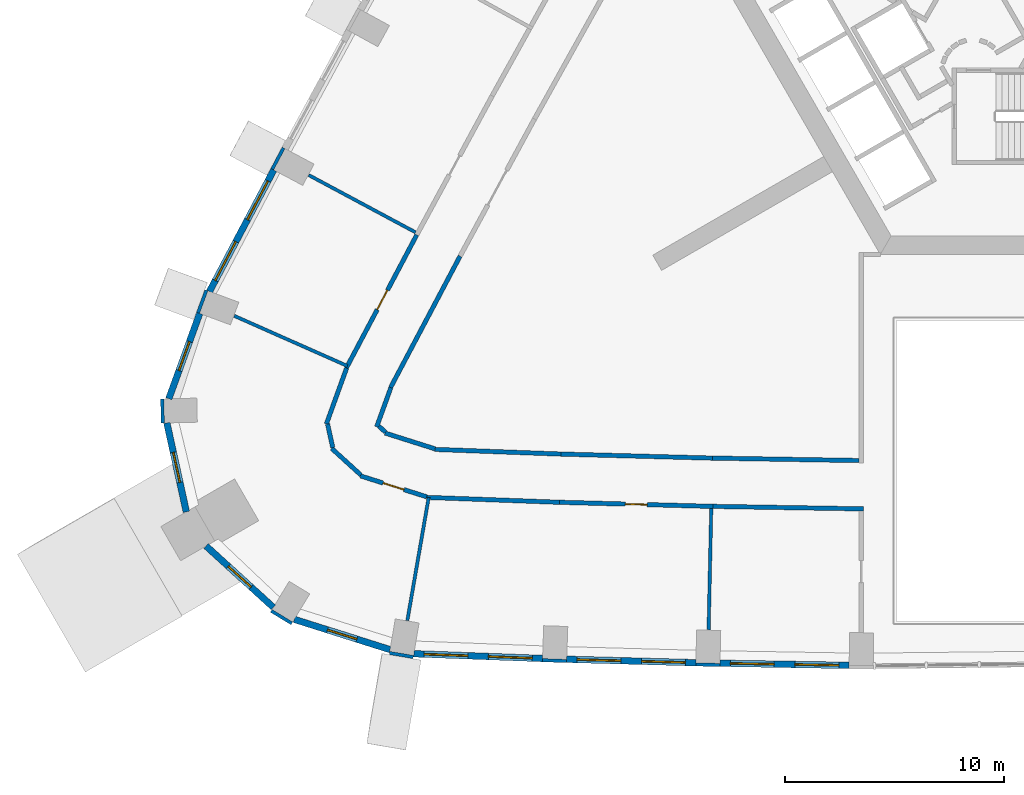
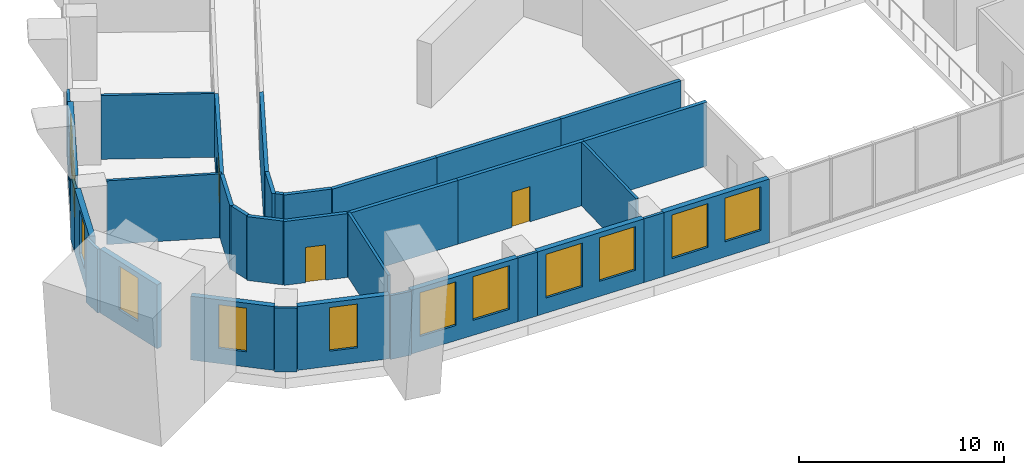
# One storey, part 4 of 15: 34 walls, 12 windows, 3 doors, 15 openings.
"""IFC4 building model written with IfcOpenShell, lengths in metres."""

import ifcopenshell
import ifcopenshell.guid

model = None  # the IFC model being written
_history = None  # IfcOwnerHistory: only IFC2X3 demands one
_inside = {}  # id of a spatial element -> (the spatial element, [elements in it])
_under = {}  # id of a project, library or spatial element -> (it, [spatial elements below it])
_declared = {}  # id of a project -> (the project, [libraries it declares])
_typed = {}  # id of a type object -> (the type object, [elements of that type])
_made_of = {}  # id of a material, layer set ... -> (it, [elements and type objects made of it])


def new_model(schema):
    """Start an empty IFC model of exactly this schema.

    Asked for "IFC4X3", IfcOpenShell would pick the latest addendum, in which some entities
    have other attributes; the version numbers below select the first issue.
    IFC2X3 requires an IfcOwnerHistory on every rooted entity: one is made here for all.
    """
    global model, _history
    if schema == "IFC4X3":
        model = ifcopenshell.file(schema_version=(4, 3, 0, 0))
    else:
        model = ifcopenshell.file(schema=schema)
    _inside.clear()
    _under.clear()
    _declared.clear()
    _typed.clear()
    _made_of.clear()
    _history = None
    if model.schema == "IFC2X3":
        org = make("IfcOrganization", Name="unknown")
        user = make(
            "IfcPersonAndOrganization",
            ThePerson=make("IfcPerson", FamilyName="unknown"),
            TheOrganization=org,
        )
        app = make(
            "IfcApplication",
            ApplicationDeveloper=org,
            Version="unknown",
            ApplicationFullName="unknown",
            ApplicationIdentifier="unknown",
        )
        _history = make(
            "IfcOwnerHistory",
            OwningUser=user,
            OwningApplication=app,
            ChangeAction="ADDED",
            CreationDate=0,
        )
    return model


def make(cls, **values):
    """One entity of the class cls with the attributes given. An attribute that is None is left unset."""
    return model.create_entity(
        cls, **{name: value for name, value in values.items() if value is not None}
    )


def rooted(cls, **values):
    """An entity with a GlobalId (a new one), such as an element, a storey or a relation."""
    return make(cls, GlobalId=ifcopenshell.guid.new(), OwnerHistory=_history, **values)


def si_unit(unit_type, name, prefix=None):
    """IfcSIUnit, for example si_unit("LENGTHUNIT", "METRE", prefix="MILLI")."""
    return make("IfcSIUnit", UnitType=unit_type, Prefix=prefix, Name=name)


def assignment(units):
    """IfcUnitAssignment: the units of a project."""
    return None if units is None else make("IfcUnitAssignment", Units=units)


def point(xyz):
    """IfcCartesianPoint."""
    return None if xyz is None else make("IfcCartesianPoint", Coordinates=xyz)


def direction(xyz):
    """IfcDirection."""
    return None if xyz is None else make("IfcDirection", DirectionRatios=xyz)


def frame(location, z_axis=None, x_axis=None):
    """IfcAxis2Placement3D, a coordinate frame: its origin and axes. An axis left out is left unset."""
    return make(
        "IfcAxis2Placement3D",
        Location=point(location),
        Axis=direction(z_axis),
        RefDirection=direction(x_axis),
    )


def frame_2d(location, x_axis=None):
    """IfcAxis2Placement2D, a coordinate frame in the plane: its origin and x axis."""
    return make(
        "IfcAxis2Placement2D", Location=point(location), RefDirection=direction(x_axis)
    )


def origin():
    """The frame at (0, 0, 0) with its axes left unset."""
    return frame((0.0, 0.0, 0.0))


def place(relative_to, where):
    """IfcLocalPlacement: puts the frame where relative to a parent placement (None: the world)."""
    return make(
        "IfcLocalPlacement", PlacementRelTo=relative_to, RelativePlacement=where
    )


def context(
    kind, dimensions, precision=None, world=None, true_north=None, identifier=None
):
    """IfcGeometricRepresentationContext, for example the 3D "Model" context."""
    return make(
        "IfcGeometricRepresentationContext",
        ContextIdentifier=identifier,
        ContextType=kind,
        CoordinateSpaceDimension=dimensions,
        Precision=precision,
        WorldCoordinateSystem=world,
        TrueNorth=true_north,
    )


def subcontext(parent, identifier, kind, view, scale=None):
    """IfcGeometricRepresentationSubContext, for example "Body" below "Model"."""
    return make(
        "IfcGeometricRepresentationSubContext",
        ContextIdentifier=identifier,
        ContextType=kind,
        ParentContext=parent,
        TargetScale=scale,
        TargetView=view,
    )


def project(units=None, contexts=None):
    """IfcProject with its units and contexts."""
    return rooted(
        "IfcProject",
        Name="project",
        RepresentationContexts=contexts,
        UnitsInContext=assignment(units),
    )


def spatial(cls, under=None, at=None, **own):
    """A site, building, storey or space (cls), placed at a placement, below another one or the project."""
    s = rooted(cls, ObjectPlacement=at, **own)
    if under is not None:
        _under.setdefault(under.id(), (under, []))[1].append(s)
    return s


def profile(cls, at=None, kind="AREA", **sizes):
    """A parametric profile (cls). Its sizes go by their IFC names, for example OverallWidth=200.0."""
    return make(cls, ProfileType=kind, Position=at, **sizes)


def rectangle(**sizes):
    """IfcRectangleProfileDef."""
    return profile("IfcRectangleProfileDef", **sizes)


def extrude(swept, where, along, depth):
    """IfcExtrudedAreaSolid: the profile swept, set in the frame where, extruded along a direction by depth."""
    return make(
        "IfcExtrudedAreaSolid",
        SweptArea=swept,
        Position=where,
        ExtrudedDirection=direction(along),
        Depth=depth,
    )


def shape(context_of_items, identifier, shape_type, items):
    """IfcShapeRepresentation: the items that make up one representation, for example the "Body"."""
    return make(
        "IfcShapeRepresentation",
        ContextOfItems=context_of_items,
        RepresentationIdentifier=identifier,
        RepresentationType=shape_type,
        Items=items,
    )


def material(Name=None, Category=None):
    """IfcMaterial."""
    return make("IfcMaterial", Name=Name, Category=Category)


def layer(
    of_material, thickness, ventilated=None, Name=None, Category=None, Priority=None
):
    """IfcMaterialLayer: one layer of a wall or slab, of a material (None: an air gap)."""
    return make(
        "IfcMaterialLayer",
        Material=of_material,
        LayerThickness=thickness,
        IsVentilated=ventilated,
        Name=Name,
        Category=Category,
        Priority=Priority,
    )


def layer_set(layers, Name=None):
    """IfcMaterialLayerSet."""
    return make("IfcMaterialLayerSet", MaterialLayers=layers, LayerSetName=Name)


def made_of(thing, what):
    """Note that an element or type object is made of a material, layer set ...; save() writes the relation."""
    if what is not None:
        _made_of.setdefault(what.id(), (what, []))[1].append(thing)
    return thing


def type_object(cls, material=None, **own):
    """A type object (cls), such as IfcWallType, which elements share."""
    return made_of(rooted(cls, **own), material)


def element(
    cls,
    number,
    at=None,
    inside=None,
    cuts=None,
    type_object=None,
    material=None,
    context=None,
    identifier="Body",
    shape_type=None,
    held_by="IfcProductDefinitionShape",
    body=None,
    shapes=None,
    **own,
):
    """One element of the class cls, such as IfcWall. Its Tag is "e" and its number.

    at: its placement. inside: the storey or other place that contains it. cuts: it is an
    opening in that element (IfcRelVoidsElement). A single representation is given by context,
    identifier, shape_type and body (its items); several are given by shapes. held_by: the class
    of the entity that holds the representations. save() writes the other relations.
    """
    e = rooted(cls, Tag="e%d" % number, ObjectPlacement=at, **own)
    if body is not None:
        shapes = [shape(context, identifier, shape_type, body)]
    if shapes is not None:
        e.Representation = make(held_by, Representations=shapes)
    if inside is not None:
        _inside.setdefault(inside.id(), (inside, []))[1].append(e)
    if cuts is not None:
        rooted(
            "IfcRelVoidsElement", RelatingBuildingElement=cuts, RelatedOpeningElement=e
        )
    if type_object is not None:
        _typed.setdefault(type_object.id(), (type_object, []))[1].append(e)
    return made_of(e, material)


def fill(opening, filler):
    """IfcRelFillsElement: the door or window that sits in an opening."""
    return rooted(
        "IfcRelFillsElement",
        RelatingOpeningElement=opening,
        RelatedBuildingElement=filler,
    )


def aggregate(whole, parts):
    """IfcRelAggregates: a whole, such as a stair, and the parts it consists of."""
    return rooted("IfcRelAggregates", RelatingObject=whole, RelatedObjects=parts)


def save(model, path):
    """Write the relations noted so far, then the file.

    IfcRelAggregates (storeys below a building ...), IfcRelContainedInSpatialStructure (elements
    in a storey), IfcRelDefinesByType, IfcRelAssociatesMaterial and IfcRelDeclares: one each for
    every whole, place, type object, material and project.
    """
    for whole, parts in _under.values():
        aggregate(whole, parts)
    for where, things in _inside.values():
        rooted(
            "IfcRelContainedInSpatialStructure",
            RelatedElements=things,
            RelatingStructure=where,
        )
    for kind, things in _typed.values():
        rooted("IfcRelDefinesByType", RelatedObjects=things, RelatingType=kind)
    for what, things in _made_of.values():
        rooted("IfcRelAssociatesMaterial", RelatedObjects=things, RelatingMaterial=what)
    for by, libraries in _declared.values():
        rooted("IfcRelDeclares", RelatingContext=by, RelatedDefinitions=libraries)
    model.write(path)


model = new_model("IFC4")

# Units and contexts
model_context = context("Model", 3, precision=1e-05, world=origin(), true_north=direction((0.0, 1.0)))
body_context = subcontext(model_context, "Body", "Model", "MODEL_VIEW")
ifc_project = project(units=[si_unit("LENGTHUNIT", "METRE"), si_unit("AREAUNIT", "SQUARE_METRE"), si_unit("VOLUMEUNIT", "CUBIC_METRE"), si_unit("PLANEANGLEUNIT", "RADIAN"), si_unit("MASSUNIT", "GRAM", prefix="KILO")], contexts=[model_context])

# Site, building, storey
site_placement = place(None, origin())
site = spatial("IfcSite", under=ifc_project, at=site_placement, CompositionType="ELEMENT")
building_placement = place(site_placement, origin())
building = spatial("IfcBuilding", under=site, at=building_placement, Name="Entoto Arch Interchange Tower", CompositionType="ELEMENT")
storey_placement = place(building_placement, frame((0.0, 0.0, 124.39990234375)))
storey = spatial("IfcBuildingStorey", under=building, at=storey_placement, Name="L27", CompositionType="ELEMENT", Elevation=124.39990234375)

# Walls
ifc_material_1 = material(Name="Gypsum board partition on steel studs", Category="steel")
ifc_layer_1 = layer(ifc_material_1, 0.14990234375)
ifc_layer_set_1 = layer_set([ifc_layer_1], Name="Gypsum board partition on steel studs")
wall_type_1 = type_object("IfcWallType", Name="PARTITION 150", PredefinedType="PARTITIONING", material=ifc_layer_set_1)
wall_1_placement = place(storey_placement, frame((-28.123046875, -8.488037109375, 0.0), z_axis=(0.0, 0.0, 1.0), x_axis=(-0.881406449288, 0.472358625573, 0.0)))
element("IfcWall", 1, at=wall_1_placement, inside=storey, type_object=wall_type_1, Name="wall:L27:p149", PredefinedType="PARTITIONING", context=body_context, shape_type="SweptSolid", body=[
    extrude(rectangle(XDim=5.52978515625, YDim=0.14990234375, at=frame_2d((2.764892578125, 0.0))), origin(), (0.0, 0.0, 1.0), 3.800048828125),
])
wall_2_placement = place(storey_placement, frame((-31.23291015625, -14.58203125, 0.0), z_axis=(0.0, 0.0, 1.0), x_axis=(-0.914317360249, 0.404998474994, 0.0)))
element("IfcWall", 2, at=wall_2_placement, inside=storey, type_object=wall_type_1, Name="wall:L27:p150", PredefinedType="PARTITIONING", context=body_context, shape_type="SweptSolid", body=[
    extrude(rectangle(XDim=5.644775390625, YDim=0.14990234375, at=frame_2d((2.822265625, 0.0))), origin(), (0.0, 0.0, 1.0), 3.800048828125),
])
wall_3_placement = place(storey_placement, frame((-27.52587890625, -20.577880859375, 0.0), z_axis=(0.0, 0.0, 1.0), x_axis=(-0.170795043313, -0.985306578269, 0.0)))
element("IfcWall", 3, at=wall_3_placement, inside=storey, type_object=wall_type_1, Name="wall:L27:p151", PredefinedType="PARTITIONING", context=body_context, shape_type="SweptSolid", body=[
    extrude(rectangle(XDim=5.69775390625, YDim=0.14990234375, at=frame_2d((2.848876953125, 0.0))), origin(), (0.0, 0.0, 1.0), 3.800048828125),
])
wall_4_placement = place(storey_placement, frame((-14.638916015625, -21.083984375, 0.0), z_axis=(0.0, 0.0, 1.0), x_axis=(-0.021723441989, -0.99976401819, 0.0)))
element("IfcWall", 4, at=wall_4_placement, inside=storey, type_object=wall_type_1, Name="wall:L27:p152", PredefinedType="PARTITIONING", context=body_context, shape_type="SweptSolid", body=[
    extrude(rectangle(XDim=5.529296875, YDim=0.14990234375, at=frame_2d((2.7646484375, 0.0))), origin(), (0.0, 0.0, 1.0), 3.800048828125),
])
ifc_layer_2 = layer(ifc_material_1, 0.199951171875)
ifc_layer_set_2 = layer_set([ifc_layer_2], Name="Gypsum board partition on steel studs")
wall_type_2 = type_object("IfcWallType", Name="PARTITION 200", PredefinedType="PARTITIONING", material=ifc_layer_set_2)
wall_5_placement = place(storey_placement, frame((-26.094970703125, -9.573974609375, 0.0), z_axis=(0.0, 0.0, 1.0), x_axis=(-0.467631129673, -0.883923710826, 0.0)))
element("IfcWall", 5, at=wall_5_placement, inside=storey, type_object=wall_type_2, Name="wall:L27:p036", PredefinedType="PARTITIONING", context=body_context, shape_type="SweptSolid", body=[
    extrude(rectangle(XDim=6.776611328125, YDim=0.199951171875, at=frame_2d((3.38818359375, 0.0))), origin(), (0.0, 0.0, 1.0), 3.800048828125),
])
wall_6_placement = place(storey_placement, frame((-29.2509765625, -15.569091796875, 0.0), z_axis=(0.0, 0.0, 1.0), x_axis=(-0.340403936609, -0.940279298901, 0.0)))
element("IfcWall", 6, at=wall_6_placement, inside=storey, type_object=wall_type_2, Name="wall:L27:p037", PredefinedType="PARTITIONING", context=body_context, shape_type="SweptSolid", body=[
    extrude(rectangle(XDim=1.903564453125, YDim=0.199951171875, at=frame_2d((0.95166015625, 0.0))), origin(), (0.0, 0.0, 1.0), 3.800048828125),
])
wall_7_placement = place(storey_placement, frame((-29.7919921875, -17.33203125, 0.0), z_axis=(0.0, 0.0, 1.0), x_axis=(0.738629069284, -0.674112081192, 0.0)))
element("IfcWall", 7, at=wall_7_placement, inside=storey, type_object=wall_type_2, Name="wall:L27:p038", PredefinedType="PARTITIONING", context=body_context, shape_type="SweptSolid", body=[
    extrude(rectangle(XDim=0.40478515625, YDim=0.199951171875, at=frame_2d((0.202392578125, 0.0))), origin(), (0.0, 0.0, 1.0), 3.800048828125),
])
wall_8_placement = place(storey_placement, frame((-29.513916015625, -17.64208984375, 0.0), z_axis=(0.0, 0.0, 1.0), x_axis=(0.953398231748, -0.301714785353, 0.0)))
element("IfcWall", 8, at=wall_8_placement, inside=storey, type_object=wall_type_2, Name="wall:L27:p039", PredefinedType="PARTITIONING", context=body_context, shape_type="SweptSolid", body=[
    extrude(rectangle(XDim=2.383056640625, YDim=0.199951171875, at=frame_2d((1.19140625, 0.0))), origin(), (0.0, 0.0, 1.0), 3.800048828125),
])
wall_9_placement = place(storey_placement, frame((-27.2470703125, -18.386962890625, 0.0), z_axis=(0.0, 0.0, 1.0), x_axis=(0.999316109669, -0.036977195089, 0.0)))
element("IfcWall", 9, at=wall_9_placement, inside=storey, type_object=wall_type_2, Name="wall:L27:p040", PredefinedType="PARTITIONING", context=body_context, shape_type="SweptSolid", body=[
    extrude(rectangle(XDim=5.763916015625, YDim=0.199951171875, at=frame_2d((2.8818359375, 0.0))), origin(), (0.0, 0.0, 1.0), 3.800048828125),
])
wall_10_placement = place(storey_placement, frame((-21.487060546875, -18.60009765625, 0.0), z_axis=(0.0, 0.0, 1.0), x_axis=(0.999645048679, -0.02664163381, 0.0)))
element("IfcWall", 10, at=wall_10_placement, inside=storey, type_object=wall_type_2, Name="wall:L27:p041", PredefinedType="PARTITIONING", context=body_context, shape_type="SweptSolid", body=[
    extrude(rectangle(XDim=6.900390625, YDim=0.199951171875, at=frame_2d((3.4501953125, 0.0))), origin(), (0.0, 0.0, 1.0), 3.800048828125),
])
wall_11_placement = place(storey_placement, frame((-14.589111328125, -18.783935546875, 0.0), z_axis=(0.0, 0.0, 1.0), x_axis=(0.999862141497, -0.016604156151, 0.0)))
element("IfcWall", 11, at=wall_11_placement, inside=storey, type_object=wall_type_2, Name="wall:L27:p042", PredefinedType="PARTITIONING", context=body_context, shape_type="SweptSolid", body=[
    extrude(rectangle(XDim=6.690185546875, YDim=0.199951171875, at=frame_2d((3.34521484375, 0.0))), origin(), (0.0, 0.0, 1.0), 3.800048828125),
])

# Wall, opening, door
wall_12_placement = place(storey_placement, frame((-31.280029296875, -14.669921875, 0.0), z_axis=(0.0, 0.0, 1.0), x_axis=(0.4676622466, 0.883907248022, 0.0)))
wall_12 = element("IfcWall", 12, at=wall_12_placement, inside=storey, type_object=wall_type_2, Name="wall:L27:p076", PredefinedType="PARTITIONING", context=body_context, shape_type="SweptSolid", body=[
    extrude(rectangle(XDim=6.865966796875, YDim=0.199951171875, at=frame_2d((3.43310546875, 0.0))), origin(), (0.0, 0.0, 1.0), 3.800048828125),
])
opening_1_placement = place(wall_12_placement, frame((3.008056640625, 0.0, 0.0)))
opening_1 = element("IfcOpeningElement", 13, at=opening_1_placement, cuts=wall_12, Name="Opening L27-D18", PredefinedType="OPENING", context=body_context, shape_type="SweptSolid", body=[
    extrude(rectangle(XDim=1.0, YDim=2.10009765625, at=frame_2d((0.5, 1.050048828125))), frame((0.0, 0.10986328125, 0.0), z_axis=(0.0, -1.0, 0.0), x_axis=(1.0, 0.0, 0.0)), (0.0, 0.0, 1.0), 0.219970703125),
])
ifc_material_2 = material(Name="Timber door leaf in Steel S235 frame", Category="steel")
door_type = type_object("IfcDoorType", Name="DOOR DS-10 1000x2100", OperationType="SINGLE_SWING_LEFT", PredefinedType="DOOR", material=ifc_material_2)
door_1_placement = place(opening_1_placement, origin())
door_1 = element("IfcDoor", 14, at=door_1_placement, inside=storey, type_object=door_type, Name="door:L27:18", OperationType="SINGLE_SWING_LEFT", OverallHeight=2.10009765625, OverallWidth=1.0, PredefinedType="DOOR", context=body_context, shape_type="SweptSolid", body=[
    extrude(rectangle(XDim=1.0, YDim=2.10009765625, at=frame_2d((0.5, 1.050048828125))), frame((0.0, 0.02490234375, 0.0), z_axis=(0.0, -1.0, 0.0), x_axis=(1.0, 0.0, 0.0)), (0.0, 0.0, 1.0), 0.050048828125),
])
fill(opening_1, door_1)

wall_13_placement = place(storey_placement, frame((-27.62109375, -20.548095703125, 0.0), z_axis=(0.0, 0.0, 1.0), x_axis=(-0.953482354465, 0.301448834338, 0.0)))
wall_13 = element("IfcWall", 15, at=wall_13_placement, inside=storey, type_object=wall_type_2, Name="wall:L27:p077", PredefinedType="PARTITIONING", context=body_context, shape_type="SweptSolid", body=[
    extrude(rectangle(XDim=3.1650390625, YDim=0.199951171875, at=frame_2d((1.58251953125, 0.0))), origin(), (0.0, 0.0, 1.0), 3.800048828125),
])
opening_2_placement = place(wall_13_placement, frame((1.08203125, 0.0, 0.0)))
opening_2 = element("IfcOpeningElement", 16, at=opening_2_placement, cuts=wall_13, Name="Opening L27-D19", PredefinedType="OPENING", context=body_context, shape_type="SweptSolid", body=[
    extrude(rectangle(XDim=1.0, YDim=2.10009765625, at=frame_2d((0.5, 1.050048828125))), frame((0.0, 0.10986328125, 0.0), z_axis=(0.0, -1.0, 0.0), x_axis=(1.0, 0.0, 0.0)), (0.0, 0.0, 1.0), 0.219970703125),
])
door_2_placement = place(opening_2_placement, origin())
door_2 = element("IfcDoor", 17, at=door_2_placement, inside=storey, type_object=door_type, Name="door:L27:19", OperationType="SINGLE_SWING_RIGHT", OverallHeight=2.10009765625, OverallWidth=1.0, PredefinedType="DOOR", context=body_context, shape_type="SweptSolid", body=[
    extrude(rectangle(XDim=1.0, YDim=2.10009765625, at=frame_2d((0.5, 1.050048828125))), frame((0.0, 0.02490234375, 0.0), z_axis=(0.0, -1.0, 0.0), x_axis=(1.0, 0.0, 0.0)), (0.0, 0.0, 1.0), 0.050048828125),
])
fill(opening_2, door_2)

# Walls
wall_14_placement = place(storey_placement, frame((-30.616943359375, -19.556884765625, 0.0), z_axis=(0.0, 0.0, 1.0), x_axis=(-0.739034946694, 0.673667089567, 0.0)))
element("IfcWall", 18, at=wall_14_placement, inside=storey, type_object=wall_type_2, Name="wall:L27:p078", PredefinedType="PARTITIONING", context=body_context, shape_type="SweptSolid", body=[
    extrude(rectangle(XDim=1.8076171875, YDim=0.199951171875, at=frame_2d((0.90380859375, 0.0))), origin(), (0.0, 0.0, 1.0), 3.800048828125),
])
wall_15_placement = place(storey_placement, frame((-31.90087890625, -18.30810546875, 0.0), z_axis=(0.0, 0.0, 1.0), x_axis=(-0.214278387947, 0.976772630891, 0.0)))
element("IfcWall", 19, at=wall_15_placement, inside=storey, type_object=wall_type_2, Name="wall:L27:p079", PredefinedType="PARTITIONING", context=body_context, shape_type="SweptSolid", body=[
    extrude(rectangle(XDim=1.101806640625, YDim=0.199951171875, at=frame_2d((0.55078125, 0.0))), origin(), (0.0, 0.0, 1.0), 3.800048828125),
])
wall_16_placement = place(storey_placement, frame((-32.19189453125, -17.22900390625, 0.0), z_axis=(0.0, 0.0, 1.0), x_axis=(0.340269739222, 0.940327870782, 0.0)))
element("IfcWall", 20, at=wall_16_placement, inside=storey, type_object=wall_type_2, Name="wall:L27:p080", PredefinedType="PARTITIONING", context=body_context, shape_type="SweptSolid", body=[
    extrude(rectangle(XDim=2.715087890625, YDim=0.199951171875, at=frame_2d((1.357421875, 0.0))), origin(), (0.0, 0.0, 1.0), 3.800048828125),
])

# Wall, opening, door
wall_17_placement = place(storey_placement, frame((-14.56201171875, -20.986083984375, 0.0), z_axis=(0.0, 0.0, 1.0), x_axis=(-0.999642796892, 0.026725991498, 0.0)))
wall_17 = element("IfcWall", 21, at=wall_17_placement, inside=storey, type_object=wall_type_2, Name="wall:L27:p081", PredefinedType="PARTITIONING", context=body_context, shape_type="SweptSolid", body=[
    extrude(rectangle(XDim=6.997314453125, YDim=0.199951171875, at=frame_2d((3.49853515625, 0.0))), origin(), (0.0, 0.0, 1.0), 3.800048828125),
])
opening_3_placement = place(wall_17_placement, frame((2.9990234375, 0.0, 0.0)))
opening_3 = element("IfcOpeningElement", 22, at=opening_3_placement, cuts=wall_17, Name="Opening L27-D20", PredefinedType="OPENING", context=body_context, shape_type="SweptSolid", body=[
    extrude(rectangle(XDim=1.0, YDim=2.10009765625, at=frame_2d((0.5, 1.050048828125))), frame((0.0, 0.10986328125, 0.0), z_axis=(0.0, -1.0, 0.0), x_axis=(1.0, 0.0, 0.0)), (0.0, 0.0, 1.0), 0.219970703125),
])
door_3_placement = place(opening_3_placement, origin())
door_3 = element("IfcDoor", 23, at=door_3_placement, inside=storey, type_object=door_type, Name="door:L27:20", OperationType="SINGLE_SWING_LEFT", OverallHeight=2.10009765625, OverallWidth=1.0, PredefinedType="DOOR", context=body_context, shape_type="SweptSolid", body=[
    extrude(rectangle(XDim=1.0, YDim=2.10009765625, at=frame_2d((0.5, 1.050048828125))), frame((0.0, 0.02490234375, 0.0), z_axis=(0.0, -1.0, 0.0), x_axis=(1.0, 0.0, 0.0)), (0.0, 0.0, 1.0), 0.050048828125),
])
fill(opening_3, door_3)

# Walls
wall_18_placement = place(storey_placement, frame((-21.556884765625, -20.799072265625, 0.0), z_axis=(0.0, 0.0, 1.0), x_axis=(-0.99931884782, 0.036903121698, 0.0)))
element("IfcWall", 24, at=wall_18_placement, inside=storey, type_object=wall_type_2, Name="wall:L27:p082", PredefinedType="PARTITIONING", context=body_context, shape_type="SweptSolid", body=[
    extrude(rectangle(XDim=6.0732421875, YDim=0.199951171875, at=frame_2d((3.03662109375, 0.0))), origin(), (0.0, 0.0, 1.0), 3.800048828125),
])
wall_19_placement = place(storey_placement, frame((-7.699951171875, -21.09912109375, 0.0), z_axis=(0.0, 0.0, 1.0), x_axis=(-0.999861998162, 0.016612785183, 0.0)))
element("IfcWall", 25, at=wall_19_placement, inside=storey, type_object=wall_type_2, Name="wall:L27:p083", PredefinedType="PARTITIONING", context=body_context, shape_type="SweptSolid", body=[
    extrude(rectangle(XDim=6.863037109375, YDim=0.199951171875, at=frame_2d((3.431640625, 0.0))), origin(), (0.0, 0.0, 1.0), 3.800048828125),
])

# Wall, openings, windows
ifc_material_3 = material(Name="Welded tuff (ignimbrite) cladding, warm buff", Category="masonry")
ifc_layer_3 = layer(ifc_material_3, 0.300048828125)
ifc_layer_set_3 = layer_set([ifc_layer_3], Name="Welded tuff (ignimbrite) cladding, warm buff")
wall_type_3 = type_object("IfcWallType", Name="STONE INFILL WALL 300", PredefinedType="STANDARD", material=ifc_layer_set_3)
wall_20_placement = place(storey_placement, frame((-28.205078125, -27.7080078125, 0.0), z_axis=(0.0, 0.0, 1.0), x_axis=(0.999317846462, -0.036930228031, 0.0)))
wall_20 = element("IfcWall", 26, at=wall_20_placement, inside=storey, type_object=wall_type_3, Name="Facade wall S-01 L27", PredefinedType="STANDARD", context=body_context, shape_type="SweptSolid", body=[
    extrude(rectangle(XDim=5.876953125, YDim=0.300048828125, at=frame_2d((2.9384765625, 0.0))), origin(), (0.0, 0.0, 1.0), 3.800048828125),
])
opening_4_placement = place(wall_20_placement, frame((0.468994140625, 0.0, 0.89990234375)))
opening_4 = element("IfcOpeningElement", 27, at=opening_4_placement, cuts=wall_20, Name="Opening WO-C", PredefinedType="OPENING", context=body_context, shape_type="SweptSolid", body=[
    extrude(rectangle(XDim=2.0, YDim=2.60009765625, at=frame_2d((1.0, 1.300048828125))), frame((0.0, 0.16015625, 0.0), z_axis=(0.0, -1.0, 0.0), x_axis=(1.0, 0.0, 0.0)), (0.0, 0.0, 1.0), 0.320068359375),
])
opening_5_placement = place(wall_20_placement, frame((3.407958984375, 0.0, 0.89990234375)))
opening_5 = element("IfcOpeningElement", 28, at=opening_5_placement, cuts=wall_20, Name="Opening WO-C", PredefinedType="OPENING", context=body_context, shape_type="SweptSolid", body=[
    extrude(rectangle(XDim=2.0, YDim=2.60009765625, at=frame_2d((1.0, 1.300048828125))), frame((0.0, 0.16015625, 0.0), z_axis=(0.0, -1.0, 0.0), x_axis=(1.0, 0.0, 0.0)), (0.0, 0.0, 1.0), 0.320068359375),
])
ifc_material_4 = material(Name="Clear glass, low-e double glazed", Category="glass")
window_type_1 = type_object("IfcWindowType", Name="WINDOW WO-C 2000x2600", PartitioningType="DOUBLE_PANEL_VERTICAL", PredefinedType="WINDOW", material=ifc_material_4)
window_1_placement = place(opening_4_placement, origin())
window_1 = element("IfcWindow", 29, at=window_1_placement, inside=storey, type_object=window_type_1, Name="Window WO-C S-01 L27", OverallHeight=2.60009765625, OverallWidth=2.0, PartitioningType="SINGLE_PANEL", PredefinedType="WINDOW", context=body_context, shape_type="SweptSolid", body=[
    extrude(rectangle(XDim=2.0, YDim=2.60009765625, at=frame_2d((1.0, 1.300048828125))), frame((0.0, 0.030029296875, 0.0), z_axis=(0.0, -1.0, 0.0), x_axis=(1.0, 0.0, 0.0)), (0.0, 0.0, 1.0), 0.06005859375),
])
fill(opening_4, window_1)
window_2_placement = place(opening_5_placement, origin())
window_2 = element("IfcWindow", 30, at=window_2_placement, inside=storey, type_object=window_type_1, Name="Window WO-C S-01 L27", OverallHeight=2.60009765625, OverallWidth=2.0, PartitioningType="SINGLE_PANEL", PredefinedType="WINDOW", context=body_context, shape_type="SweptSolid", body=[
    extrude(rectangle(XDim=2.0, YDim=2.60009765625, at=frame_2d((1.0, 1.300048828125))), frame((0.0, 0.030029296875, 0.0), z_axis=(0.0, -1.0, 0.0), x_axis=(1.0, 0.0, 0.0)), (0.0, 0.0, 1.0), 0.06005859375),
])
fill(opening_5, window_2)

wall_21_placement = place(storey_placement, frame((-21.235107421875, -27.9599609375, 0.0), z_axis=(0.0, 0.0, 1.0), x_axis=(0.999645618819, -0.026620232457, 0.0)))
wall_21 = element("IfcWall", 31, at=wall_21_placement, inside=storey, type_object=wall_type_3, Name="Facade wall S-02 L27", PredefinedType="STANDARD", context=body_context, shape_type="SweptSolid", body=[
    extrude(rectangle(XDim=5.897216796875, YDim=0.300048828125, at=frame_2d((2.94873046875, 0.0))), origin(), (0.0, 0.0, 1.0), 3.800048828125),
])
opening_6_placement = place(wall_21_placement, frame((0.47412109375, 0.0, 0.89990234375)))
opening_6 = element("IfcOpeningElement", 32, at=opening_6_placement, cuts=wall_21, Name="Opening WO-C", PredefinedType="OPENING", context=body_context, shape_type="SweptSolid", body=[
    extrude(rectangle(XDim=2.0, YDim=2.60009765625, at=frame_2d((1.0, 1.300048828125))), frame((0.0, 0.16015625, 0.0), z_axis=(0.0, -1.0, 0.0), x_axis=(1.0, 0.0, 0.0)), (0.0, 0.0, 1.0), 0.320068359375),
])
opening_7_placement = place(wall_21_placement, frame((3.423095703125, 0.0, 0.89990234375)))
opening_7 = element("IfcOpeningElement", 33, at=opening_7_placement, cuts=wall_21, Name="Opening WO-C", PredefinedType="OPENING", context=body_context, shape_type="SweptSolid", body=[
    extrude(rectangle(XDim=2.0, YDim=2.60009765625, at=frame_2d((1.0, 1.300048828125))), frame((0.0, 0.16015625, 0.0), z_axis=(0.0, -1.0, 0.0), x_axis=(1.0, 0.0, 0.0)), (0.0, 0.0, 1.0), 0.320068359375),
])
window_3_placement = place(opening_6_placement, origin())
window_3 = element("IfcWindow", 34, at=window_3_placement, inside=storey, type_object=window_type_1, Name="Window WO-C S-02 L27", OverallHeight=2.60009765625, OverallWidth=2.0, PartitioningType="SINGLE_PANEL", PredefinedType="WINDOW", context=body_context, shape_type="SweptSolid", body=[
    extrude(rectangle(XDim=2.0, YDim=2.60009765625, at=frame_2d((1.0, 1.300048828125))), frame((0.0, 0.030029296875, 0.0), z_axis=(0.0, -1.0, 0.0), x_axis=(1.0, 0.0, 0.0)), (0.0, 0.0, 1.0), 0.06005859375),
])
fill(opening_6, window_3)
window_4_placement = place(opening_7_placement, origin())
window_4 = element("IfcWindow", 35, at=window_4_placement, inside=storey, type_object=window_type_1, Name="Window WO-C S-02 L27", OverallHeight=2.60009765625, OverallWidth=2.0, PartitioningType="SINGLE_PANEL", PredefinedType="WINDOW", context=body_context, shape_type="SweptSolid", body=[
    extrude(rectangle(XDim=2.0, YDim=2.60009765625, at=frame_2d((1.0, 1.300048828125))), frame((0.0, 0.030029296875, 0.0), z_axis=(0.0, -1.0, 0.0), x_axis=(1.0, 0.0, 0.0)), (0.0, 0.0, 1.0), 0.06005859375),
])
fill(opening_7, window_4)

wall_22_placement = place(storey_placement, frame((-14.241943359375, -28.14111328125, 0.0), z_axis=(0.0, 0.0, 1.0), x_axis=(0.999862081538, -0.016607766328, 0.0)))
wall_22 = element("IfcWall", 36, at=wall_22_placement, inside=storey, type_object=wall_type_3, Name="Facade wall S-03 L27", PredefinedType="STANDARD", context=body_context, shape_type="SweptSolid", body=[
    extrude(rectangle(XDim=5.894775390625, YDim=0.300048828125, at=frame_2d((2.947265625, 0.0))), origin(), (0.0, 0.0, 1.0), 3.800048828125),
])
opening_8_placement = place(wall_22_placement, frame((0.47412109375, 0.0, 0.89990234375)))
opening_8 = element("IfcOpeningElement", 37, at=opening_8_placement, cuts=wall_22, Name="Opening WO-C", PredefinedType="OPENING", context=body_context, shape_type="SweptSolid", body=[
    extrude(rectangle(XDim=2.0, YDim=2.60009765625, at=frame_2d((1.0, 1.300048828125))), frame((0.0, 0.16015625, 0.0), z_axis=(0.0, -1.0, 0.0), x_axis=(1.0, 0.0, 0.0)), (0.0, 0.0, 1.0), 0.320068359375),
])
opening_9_placement = place(wall_22_placement, frame((3.4208984375, 0.0, 0.89990234375)))
opening_9 = element("IfcOpeningElement", 38, at=opening_9_placement, cuts=wall_22, Name="Opening WO-C", PredefinedType="OPENING", context=body_context, shape_type="SweptSolid", body=[
    extrude(rectangle(XDim=2.0, YDim=2.60009765625, at=frame_2d((1.0, 1.300048828125))), frame((0.0, 0.16015625, 0.0), z_axis=(0.0, -1.0, 0.0), x_axis=(1.0, 0.0, 0.0)), (0.0, 0.0, 1.0), 0.320068359375),
])
window_5_placement = place(opening_8_placement, origin())
window_5 = element("IfcWindow", 39, at=window_5_placement, inside=storey, type_object=window_type_1, Name="Window WO-C S-03 L27", OverallHeight=2.60009765625, OverallWidth=2.0, PartitioningType="SINGLE_PANEL", PredefinedType="WINDOW", context=body_context, shape_type="SweptSolid", body=[
    extrude(rectangle(XDim=2.0, YDim=2.60009765625, at=frame_2d((1.0, 1.300048828125))), frame((0.0, 0.030029296875, 0.0), z_axis=(0.0, -1.0, 0.0), x_axis=(1.0, 0.0, 0.0)), (0.0, 0.0, 1.0), 0.06005859375),
])
fill(opening_8, window_5)
window_6_placement = place(opening_9_placement, origin())
window_6 = element("IfcWindow", 40, at=window_6_placement, inside=storey, type_object=window_type_1, Name="Window WO-C S-03 L27", OverallHeight=2.60009765625, OverallWidth=2.0, PartitioningType="SINGLE_PANEL", PredefinedType="WINDOW", context=body_context, shape_type="SweptSolid", body=[
    extrude(rectangle(XDim=2.0, YDim=2.60009765625, at=frame_2d((1.0, 1.300048828125))), frame((0.0, 0.030029296875, 0.0), z_axis=(0.0, -1.0, 0.0), x_axis=(1.0, 0.0, 0.0)), (0.0, 0.0, 1.0), 0.06005859375),
])
fill(opening_9, window_6)

wall_23_placement = place(storey_placement, frame((-34.593017578125, -5.64306640625, 0.0), z_axis=(0.0, 0.0, 1.0), x_axis=(-0.467654949391, -0.883911108828, 0.0)))
wall_23 = element("IfcWall", 41, at=wall_23_placement, inside=storey, type_object=wall_type_3, Name="Facade wall NW-08 L27", PredefinedType="STANDARD", context=body_context, shape_type="SweptSolid", body=[
    extrude(rectangle(XDim=6.26513671875, YDim=0.300048828125, at=frame_2d((3.132568359375, 0.0))), origin(), (0.0, 0.0, 1.0), 3.800048828125),
])
opening_10_placement = place(wall_23_placement, frame((0.56591796875, 0.0, 0.89990234375)))
opening_10 = element("IfcOpeningElement", 42, at=opening_10_placement, cuts=wall_23, Name="Opening WO-C", PredefinedType="OPENING", context=body_context, shape_type="SweptSolid", body=[
    extrude(rectangle(XDim=2.0, YDim=2.60009765625, at=frame_2d((1.0, 1.300048828125))), frame((0.0, 0.16015625, 0.0), z_axis=(0.0, -1.0, 0.0), x_axis=(1.0, 0.0, 0.0)), (0.0, 0.0, 1.0), 0.320068359375),
])
opening_11_placement = place(wall_23_placement, frame((3.698974609375, 0.0, 0.89990234375)))
opening_11 = element("IfcOpeningElement", 43, at=opening_11_placement, cuts=wall_23, Name="Opening WO-C", PredefinedType="OPENING", context=body_context, shape_type="SweptSolid", body=[
    extrude(rectangle(XDim=2.0, YDim=2.60009765625, at=frame_2d((1.0, 1.300048828125))), frame((0.0, 0.16015625, 0.0), z_axis=(0.0, -1.0, 0.0), x_axis=(1.0, 0.0, 0.0)), (0.0, 0.0, 1.0), 0.320068359375),
])
window_7_placement = place(opening_10_placement, origin())
window_7 = element("IfcWindow", 44, at=window_7_placement, inside=storey, type_object=window_type_1, Name="Window WO-C NW-08 L27", OverallHeight=2.60009765625, OverallWidth=2.0, PartitioningType="SINGLE_PANEL", PredefinedType="WINDOW", context=body_context, shape_type="SweptSolid", body=[
    extrude(rectangle(XDim=2.0, YDim=2.60009765625, at=frame_2d((1.0, 1.300048828125))), frame((0.0, 0.030029296875, 0.0), z_axis=(0.0, -1.0, 0.0), x_axis=(1.0, 0.0, 0.0)), (0.0, 0.0, 1.0), 0.06005859375),
])
fill(opening_10, window_7)
window_8_placement = place(opening_11_placement, origin())
window_8 = element("IfcWindow", 45, at=window_8_placement, inside=storey, type_object=window_type_1, Name="Window WO-C NW-08 L27", OverallHeight=2.60009765625, OverallWidth=2.0, PartitioningType="SINGLE_PANEL", PredefinedType="WINDOW", context=body_context, shape_type="SweptSolid", body=[
    extrude(rectangle(XDim=2.0, YDim=2.60009765625, at=frame_2d((1.0, 1.300048828125))), frame((0.0, 0.030029296875, 0.0), z_axis=(0.0, -1.0, 0.0), x_axis=(1.0, 0.0, 0.0)), (0.0, 0.0, 1.0), 0.06005859375),
])
fill(opening_11, window_8)

# Wall, opening, window
wall_24_placement = place(storey_placement, frame((-37.969970703125, -12.18603515625, 0.0), z_axis=(0.0, 0.0, 1.0), x_axis=(-0.340477955209, -0.940252499075, 0.0)))
wall_24 = element("IfcWall", 46, at=wall_24_placement, inside=storey, type_object=wall_type_3, Name="Facade wall SW-01 L27", PredefinedType="STANDARD", context=body_context, shape_type="SweptSolid", body=[
    extrude(rectangle(XDim=4.13818359375, YDim=0.300048828125, at=frame_2d((2.069091796875, 0.0))), origin(), (0.0, 0.0, 1.0), 3.800048828125),
])
opening_12_placement = place(wall_24_placement, frame((1.368896484375, 0.0, 0.89990234375)))
opening_12 = element("IfcOpeningElement", 47, at=opening_12_placement, cuts=wall_24, Name="Opening WO-B", PredefinedType="OPENING", context=body_context, shape_type="SweptSolid", body=[
    extrude(rectangle(XDim=1.39990234375, YDim=2.60009765625, at=frame_2d((0.699951171875, 1.300048828125))), frame((0.0, 0.16015625, 0.0), z_axis=(0.0, -1.0, 0.0), x_axis=(1.0, 0.0, 0.0)), (0.0, 0.0, 1.0), 0.320068359375),
])
window_type_2 = type_object("IfcWindowType", Name="WINDOW WO-B 1400x2600", PartitioningType="DOUBLE_PANEL_VERTICAL", PredefinedType="WINDOW", material=ifc_material_4)
window_9_placement = place(opening_12_placement, origin())
window_9 = element("IfcWindow", 48, at=window_9_placement, inside=storey, type_object=window_type_2, Name="Window WO-B SW-01 L27", OverallHeight=2.60009765625, OverallWidth=1.39990234375, PartitioningType="SINGLE_PANEL", PredefinedType="WINDOW", context=body_context, shape_type="SweptSolid", body=[
    extrude(rectangle(XDim=1.39990234375, YDim=2.60009765625, at=frame_2d((0.699951171875, 1.300048828125))), frame((0.0, 0.030029296875, 0.0), z_axis=(0.0, -1.0, 0.0), x_axis=(1.0, 0.0, 0.0)), (0.0, 0.0, 1.0), 0.06005859375),
])
fill(opening_12, window_9)

wall_25_placement = place(storey_placement, frame((-39.468017578125, -17.177978515625, 0.0), z_axis=(0.0, 0.0, 1.0), x_axis=(0.2139737857, -0.976839402887, 0.0)))
wall_25 = element("IfcWall", 49, at=wall_25_placement, inside=storey, type_object=wall_type_3, Name="Facade wall SW-02 L27", PredefinedType="STANDARD", context=body_context, shape_type="SweptSolid", body=[
    extrude(rectangle(XDim=4.154296875, YDim=0.300048828125, at=frame_2d((2.0771484375, 0.0))), origin(), (0.0, 0.0, 1.0), 3.800048828125),
])
opening_13_placement = place(wall_25_placement, frame((1.376953125, 0.0, 0.89990234375)))
opening_13 = element("IfcOpeningElement", 50, at=opening_13_placement, cuts=wall_25, Name="Opening WO-B", PredefinedType="OPENING", context=body_context, shape_type="SweptSolid", body=[
    extrude(rectangle(XDim=1.39990234375, YDim=2.60009765625, at=frame_2d((0.699951171875, 1.300048828125))), frame((0.0, 0.16015625, 0.0), z_axis=(0.0, -1.0, 0.0), x_axis=(1.0, 0.0, 0.0)), (0.0, 0.0, 1.0), 0.320068359375),
])
window_10_placement = place(opening_13_placement, origin())
window_10 = element("IfcWindow", 51, at=window_10_placement, inside=storey, type_object=window_type_2, Name="Window WO-B SW-02 L27", OverallHeight=2.60009765625, OverallWidth=1.39990234375, PartitioningType="SINGLE_PANEL", PredefinedType="WINDOW", context=body_context, shape_type="SweptSolid", body=[
    extrude(rectangle(XDim=1.39990234375, YDim=2.60009765625, at=frame_2d((0.699951171875, 1.300048828125))), frame((0.0, 0.030029296875, 0.0), z_axis=(0.0, -1.0, 0.0), x_axis=(1.0, 0.0, 0.0)), (0.0, 0.0, 1.0), 0.06005859375),
])
fill(opening_13, window_10)

wall_26_placement = place(storey_placement, frame((-37.679931640625, -22.79296875, 0.0), z_axis=(0.0, 0.0, 1.0), x_axis=(0.738825046606, -0.673897284835, 0.0)))
wall_26 = element("IfcWall", 52, at=wall_26_placement, inside=storey, type_object=wall_type_3, Name="Facade wall SW-03 L27", PredefinedType="STANDARD", context=body_context, shape_type="SweptSolid", body=[
    extrude(rectangle(XDim=4.155029296875, YDim=0.300048828125, at=frame_2d((2.07763671875, 0.0))), origin(), (0.0, 0.0, 1.0), 3.800048828125),
])
opening_14_placement = place(wall_26_placement, frame((1.3779296875, 0.0, 0.89990234375)))
opening_14 = element("IfcOpeningElement", 53, at=opening_14_placement, cuts=wall_26, Name="Opening WO-B", PredefinedType="OPENING", context=body_context, shape_type="SweptSolid", body=[
    extrude(rectangle(XDim=1.39990234375, YDim=2.60009765625, at=frame_2d((0.699951171875, 1.300048828125))), frame((0.0, 0.16015625, 0.0), z_axis=(0.0, -1.0, 0.0), x_axis=(1.0, 0.0, 0.0)), (0.0, 0.0, 1.0), 0.320068359375),
])
window_11_placement = place(opening_14_placement, origin())
window_11 = element("IfcWindow", 54, at=window_11_placement, inside=storey, type_object=window_type_2, Name="Window WO-B SW-03 L27", OverallHeight=2.60009765625, OverallWidth=1.39990234375, PartitioningType="SINGLE_PANEL", PredefinedType="WINDOW", context=body_context, shape_type="SweptSolid", body=[
    extrude(rectangle(XDim=1.39990234375, YDim=2.60009765625, at=frame_2d((0.699951171875, 1.300048828125))), frame((0.0, 0.030029296875, 0.0), z_axis=(0.0, -1.0, 0.0), x_axis=(1.0, 0.0, 0.0)), (0.0, 0.0, 1.0), 0.06005859375),
])
fill(opening_14, window_11)

wall_27_placement = place(storey_placement, frame((-33.656982421875, -26.138916015625, 0.0), z_axis=(0.0, 0.0, 1.0), x_axis=(0.953449736988, -0.301551983971, 0.0)))
wall_27 = element("IfcWall", 55, at=wall_27_placement, inside=storey, type_object=wall_type_3, Name="Facade wall SW-04 L27", PredefinedType="STANDARD", context=body_context, shape_type="SweptSolid", body=[
    extrude(rectangle(XDim=4.583251953125, YDim=0.300048828125, at=frame_2d((2.29150390625, 0.0))), origin(), (0.0, 0.0, 1.0), 3.800048828125),
])
opening_15_placement = place(wall_27_placement, frame((1.592041015625, 0.0, 0.89990234375)))
opening_15 = element("IfcOpeningElement", 56, at=opening_15_placement, cuts=wall_27, Name="Opening WO-B", PredefinedType="OPENING", context=body_context, shape_type="SweptSolid", body=[
    extrude(rectangle(XDim=1.39990234375, YDim=2.60009765625, at=frame_2d((0.699951171875, 1.300048828125))), frame((0.0, 0.16015625, 0.0), z_axis=(0.0, -1.0, 0.0), x_axis=(1.0, 0.0, 0.0)), (0.0, 0.0, 1.0), 0.320068359375),
])
window_12_placement = place(opening_15_placement, origin())
window_12 = element("IfcWindow", 57, at=window_12_placement, inside=storey, type_object=window_type_2, Name="Window WO-B SW-04 L27", OverallHeight=2.60009765625, OverallWidth=1.39990234375, PartitioningType="SINGLE_PANEL", PredefinedType="WINDOW", context=body_context, shape_type="SweptSolid", body=[
    extrude(rectangle(XDim=1.39990234375, YDim=2.60009765625, at=frame_2d((0.699951171875, 1.300048828125))), frame((0.0, 0.030029296875, 0.0), z_axis=(0.0, -1.0, 0.0), x_axis=(1.0, 0.0, 0.0)), (0.0, 0.0, 1.0), 0.06005859375),
])
fill(opening_15, window_12)

# Walls
ifc_layer_4 = layer(ifc_material_3, 0.14990234375)
ifc_layer_set_4 = layer_set([ifc_layer_4], Name="Welded tuff (ignimbrite) cladding, warm buff")
wall_type_4 = type_object("IfcWallType", Name="STONE PIER CLADDING 150", PredefinedType="STANDARD", material=ifc_layer_set_4)
wall_28_placement = place(storey_placement, frame((-34.14501953125, -4.636962890625, 0.0), z_axis=(0.0, 0.0, 1.0), x_axis=(-0.46919310775, -0.883095593716, 0.0)))
element("IfcWall", 58, at=wall_28_placement, inside=storey, type_object=wall_type_4, Name="Stone pier NW08 L27", PredefinedType="STANDARD", context=body_context, shape_type="SweptSolid", body=[
    extrude(rectangle(XDim=1.099365234375, YDim=0.14990234375, at=frame_2d((0.5498046875, 0.0))), origin(), (0.0, 0.0, 1.0), 3.800048828125),
])
wall_29_placement = place(storey_placement, frame((-37.6630859375, -11.1279296875, 0.0), z_axis=(0.0, 0.0, 1.0), x_axis=(-0.347010833361, -0.937861120598, 0.0)))
element("IfcWall", 59, at=wall_29_placement, inside=storey, type_object=wall_type_4, Name="Stone pier NW09 L27", PredefinedType="STANDARD", context=body_context, shape_type="SweptSolid", body=[
    extrude(rectangle(XDim=1.100341796875, YDim=0.14990234375, at=frame_2d((0.55029296875, 0.0))), origin(), (0.0, 0.0, 1.0), 3.800048828125),
])
wall_30_placement = place(storey_placement, frame((-29.31396484375, -27.6708984375, 0.0), z_axis=(0.0, 0.0, 1.0), x_axis=(0.985763338892, -0.168138751323, 0.0)))
element("IfcWall", 60, at=wall_30_placement, inside=storey, type_object=wall_type_4, Name="Stone pier S01 L27", PredefinedType="STANDARD", context=body_context, shape_type="SweptSolid", body=[
    extrude(rectangle(XDim=1.1005859375, YDim=0.14990234375, at=frame_2d((0.55029296875, 0.0))), origin(), (0.0, 0.0, 1.0), 3.800048828125),
])
wall_31_placement = place(storey_placement, frame((-22.3359375, -28.0009765625, 0.0), z_axis=(0.0, 0.0, 1.0), x_axis=(0.999368780235, -0.035525217693, 0.0)))
element("IfcWall", 61, at=wall_31_placement, inside=storey, type_object=wall_type_4, Name="Stone pier S02 L27", PredefinedType="STANDARD", context=body_context, shape_type="SweptSolid", body=[
    extrude(rectangle(XDim=1.099609375, YDim=0.14990234375, at=frame_2d((0.5498046875, 0.0))), origin(), (0.0, 0.0, 1.0), 3.800048828125),
])
for number, where, z_axis, x_axis, name in (
    (62, (-15.343017578125, -28.194091796875, 0.0), (0.0, 0.0, 1.0), (0.999723421029, -0.023517683673, 0.0), "Stone pier S03 L27"),
    (63, (-39.678955078125, -16.0830078125, 0.0), (0.0, 0.0, 1.0), (0.023517683673, -0.999723421029, 0.0), "Stone pier SW1 L27"),
    (64, (-34.70703125, -25.75, 0.0), (0.0, 0.0, 1.0), (0.854245682901, -0.519869515594, 0.0), "Stone pier SW3 L27"),
):
    element("IfcWall", number, at=place(storey_placement, frame(where, z_axis=z_axis, x_axis=x_axis)), inside=storey, type_object=wall_type_4, Name=name, PredefinedType="STANDARD", context=body_context, shape_type="SweptSolid", body=[
        extrude(rectangle(XDim=1.100341796875, YDim=0.14990234375, at=frame_2d((0.55029296875, 0.0))), origin(), (0.0, 0.0, 1.0), 3.800048828125),
    ])

save(model, "model.ifc")
